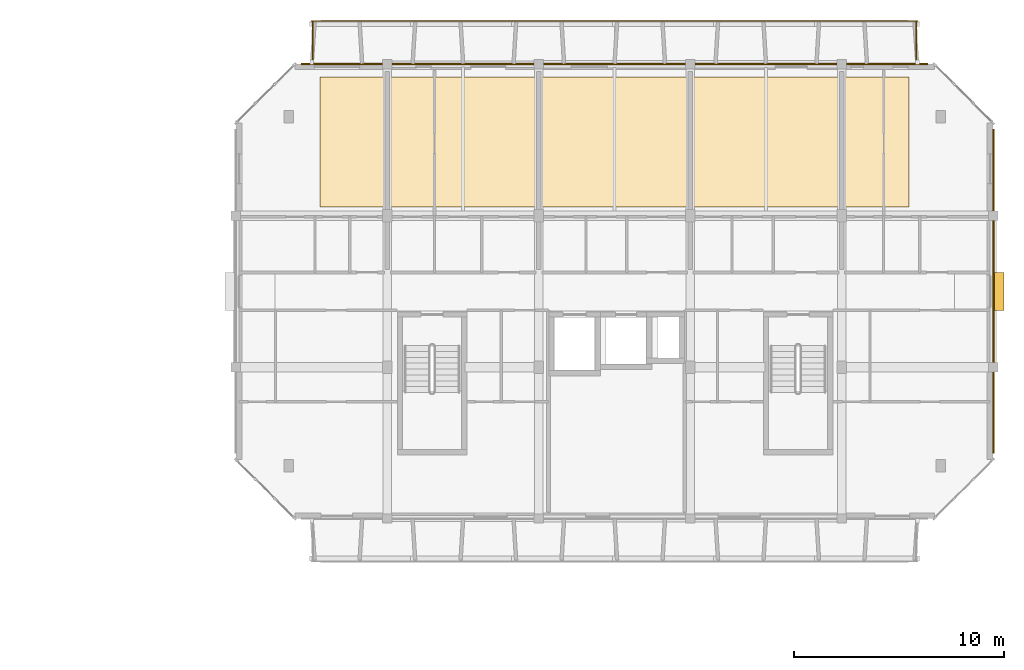
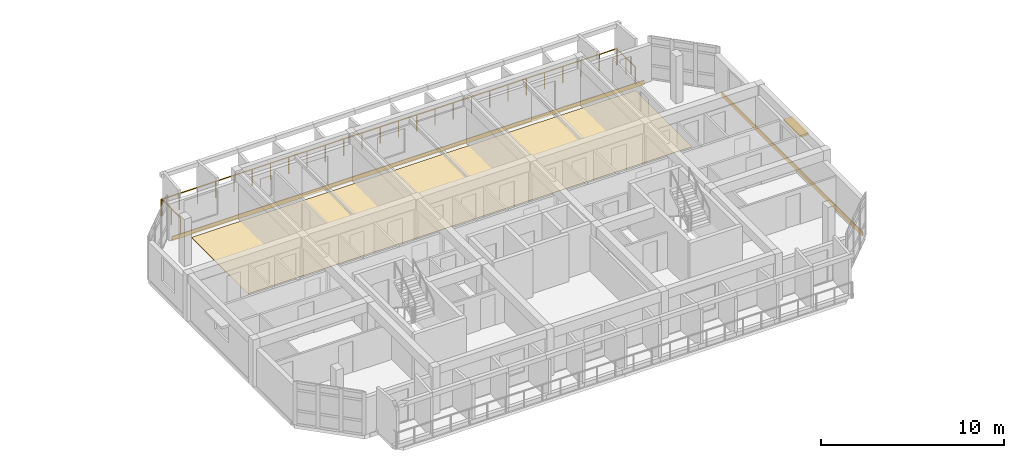
# One storey, part 31 of 31: 3 coverings, 3 railings, 1 shading device.
"""IFC4 building model written with IfcOpenShell, lengths in metres."""

from ifc_helpers import new_model, si_unit, direction, frame, origin, origin_2d, place, context, subcontext, project, spatial, polyline, rectangle, circle, outline, extrude, material, layer, layer_set, type_object, element, save


model = new_model("IFC4")

# Units and contexts
model_context = context("Model", 3, precision=1e-05, world=origin(), true_north=direction((0.0, 1.0)))
body_context = subcontext(model_context, "Body", "Model", "MODEL_VIEW")
ifc_project = project(units=[si_unit("LENGTHUNIT", "METRE"), si_unit("AREAUNIT", "SQUARE_METRE"), si_unit("VOLUMEUNIT", "CUBIC_METRE"), si_unit("PLANEANGLEUNIT", "RADIAN"), si_unit("MASSUNIT", "GRAM", prefix="KILO")], contexts=[model_context])

# Site, building, storey
site_placement = place(None, origin())
site = spatial("IfcSite", under=ifc_project, at=site_placement, CompositionType="ELEMENT")
building_placement = place(site_placement, origin())
building = spatial("IfcBuilding", under=site, at=building_placement, Name="Ochrevale Crest", CompositionType="ELEMENT")
storey_placement = place(building_placement, frame((0.0, 0.0, 37.050048828125)))
storey = spatial("IfcBuildingStorey", under=building, at=storey_placement, Name="L11", CompositionType="ELEMENT", Elevation=37.050048828125)

# Coverings
ifc_material_1 = material(Name="Glazed terracotta rainscreen tile", Category="masonry")
ifc_layer_1 = layer(ifc_material_1, 0.048095703125)
ifc_layer_set_1 = layer_set([ifc_layer_1], Name="Glazed terracotta rainscreen tile")
covering_type_1 = type_object("IfcCoveringType", Name="COV-CLAD-TER", PredefinedType="CLADDING", material=ifc_layer_set_1)
covering_1_placement = place(storey_placement, frame((165.614501953125, 82.800048828125, -0.26025390625), z_axis=(0.0, 0.0, 1.0), x_axis=(0.0, 1.0, 0.0)))
element("IfcCovering", 1, at=covering_1_placement, inside=storey, type_object=covering_type_1, Name="Block D L11 terracotta slab-edge spandrel cladding", PredefinedType="CLADDING", context=body_context, shape_type="SweptSolid", body=[
    extrude(rectangle(XDim=15.39990234375, YDim=0.06005859375, at=origin_2d()), origin(), (0.0, 0.0, 1.0), 0.280029296875),
])
covering_2_placement = place(storey_placement, frame((147.60009765625, 93.612548828125, -0.26025390625), z_axis=(0.0, 0.0, 1.0), x_axis=(-1.0, 0.0, 0.0)))
element("IfcCovering", 2, at=covering_2_placement, inside=storey, type_object=covering_type_1, Name="Block D L11 terracotta slab-edge spandrel cladding", PredefinedType="CLADDING", context=body_context, shape_type="SweptSolid", body=[
    extrude(rectangle(XDim=29.800048828125, YDim=0.06005859375, at=origin_2d()), origin(), (0.0, 0.0, 1.0), 0.280029296875),
])
ifc_material_2 = material(Name="Engineered spotted-gum hardwood flooring", Category="wood")
ifc_layer_2 = layer(ifc_material_2, 0.02001953125)
ifc_layer_set_2 = layer_set([ifc_layer_2], Name="Engineered spotted-gum hardwood flooring")
covering_type_2 = type_object("IfcCoveringType", Name="COV-FLR-TIM", PredefinedType="FLOORING", material=ifc_layer_set_2)
covering_3_placement = place(storey_placement, origin())
element("IfcCovering", 3, at=covering_3_placement, inside=storey, type_object=covering_type_2, Name="Block D L11 spotted-gum apartment flooring", PredefinedType="FLOORING", context=body_context, shape_type="SweptSolid", body=[
    extrude(outline(polyline([(133.60009765625, 86.800048828125), (161.60009765625, 86.800048828125), (161.60009765625, 93.0), (133.60009765625, 93.0), (133.60009765625, 86.800048828125)])), origin(), (0.0, 0.0, 1.0), 0.02001953125),
])

# Railings
ifc_material_3 = material(Name="Galvanised steel", Category="steel")
railing_type = type_object("IfcRailingType", Name="RL-BAL-1100", PredefinedType="BALUSTRADE", material=ifc_material_3)
railing_placement = place(storey_placement, frame((133.199951171875, 95.639892578125, 0.0)))
element("IfcRailing", 4, at=railing_placement, inside=storey, type_object=railing_type, Name="Block D L11 N balcony front balustrade", PredefinedType="BALUSTRADE", context=body_context, shape_type="SweptSolid", body=[
    extrude(circle(Radius=0.02392578125, at=origin_2d()), frame((0.0, 0.0, 1.0859375), z_axis=(1.0, 0.0, 0.0), x_axis=(0.0, 1.0, 0.0)), (0.0, 0.0, 1.0), 28.800048828125),
    extrude(circle(Radius=0.02099609375, at=origin_2d()), origin(), (0.0, 0.0, 1.0), 1.06201171875),
    extrude(circle(Radius=0.02099609375, at=origin_2d()), frame((1.152099609375, 0.0, 0.0)), (0.0, 0.0, 1.0), 1.06201171875),
    extrude(circle(Radius=0.02099609375, at=origin_2d()), frame((2.303955078125, 0.0, 0.0)), (0.0, 0.0, 1.0), 1.06201171875),
    extrude(circle(Radius=0.02099609375, at=origin_2d()), frame((3.4560546875, 0.0, 0.0)), (0.0, 0.0, 1.0), 1.06201171875),
    extrude(circle(Radius=0.02099609375, at=origin_2d()), frame((4.60791015625, 0.0, 0.0)), (0.0, 0.0, 1.0), 1.06201171875),
    extrude(circle(Radius=0.02099609375, at=origin_2d()), frame((5.760009765625, 0.0, 0.0)), (0.0, 0.0, 1.0), 1.06201171875),
    extrude(circle(Radius=0.02099609375, at=origin_2d()), frame((6.912109375, 0.0, 0.0)), (0.0, 0.0, 1.0), 1.06201171875),
    extrude(circle(Radius=0.02099609375, at=origin_2d()), frame((8.06396484375, 0.0, 0.0)), (0.0, 0.0, 1.0), 1.06201171875),
    extrude(circle(Radius=0.02099609375, at=origin_2d()), frame((9.216064453125, 0.0, 0.0)), (0.0, 0.0, 1.0), 1.06201171875),
    extrude(circle(Radius=0.02099609375, at=origin_2d()), frame((10.367919921875, 0.0, 0.0)), (0.0, 0.0, 1.0), 1.06201171875),
    extrude(circle(Radius=0.02099609375, at=origin_2d()), frame((11.52001953125, 0.0, 0.0)), (0.0, 0.0, 1.0), 1.06201171875),
    extrude(circle(Radius=0.02099609375, at=origin_2d()), frame((12.672119140625, 0.0, 0.0)), (0.0, 0.0, 1.0), 1.06201171875),
    extrude(circle(Radius=0.02099609375, at=origin_2d()), frame((13.823974609375, 0.0, 0.0)), (0.0, 0.0, 1.0), 1.06201171875),
    extrude(circle(Radius=0.02099609375, at=origin_2d()), frame((14.97607421875, 0.0, 0.0)), (0.0, 0.0, 1.0), 1.06201171875),
    extrude(circle(Radius=0.02099609375, at=origin_2d()), frame((16.1279296875, 0.0, 0.0)), (0.0, 0.0, 1.0), 1.06201171875),
    extrude(circle(Radius=0.02099609375, at=origin_2d()), frame((17.280029296875, 0.0, 0.0)), (0.0, 0.0, 1.0), 1.06201171875),
    extrude(circle(Radius=0.02099609375, at=origin_2d()), frame((18.43212890625, 0.0, 0.0)), (0.0, 0.0, 1.0), 1.06201171875),
    extrude(circle(Radius=0.02099609375, at=origin_2d()), frame((19.583984375, 0.0, 0.0)), (0.0, 0.0, 1.0), 1.06201171875),
    extrude(circle(Radius=0.02099609375, at=origin_2d()), frame((20.736083984375, 0.0, 0.0)), (0.0, 0.0, 1.0), 1.06201171875),
    extrude(circle(Radius=0.02099609375, at=origin_2d()), frame((21.887939453125, 0.0, 0.0)), (0.0, 0.0, 1.0), 1.06201171875),
    extrude(circle(Radius=0.02099609375, at=origin_2d()), frame((23.0400390625, 0.0, 0.0)), (0.0, 0.0, 1.0), 1.06201171875),
    extrude(circle(Radius=0.02099609375, at=origin_2d()), frame((24.192138671875, 0.0, 0.0)), (0.0, 0.0, 1.0), 1.06201171875),
    extrude(circle(Radius=0.02099609375, at=origin_2d()), frame((25.343994140625, 0.0, 0.0)), (0.0, 0.0, 1.0), 1.06201171875),
    extrude(circle(Radius=0.02099609375, at=origin_2d()), frame((26.49609375, 0.0, 0.0)), (0.0, 0.0, 1.0), 1.06201171875),
    extrude(circle(Radius=0.02099609375, at=origin_2d()), frame((27.64794921875, 0.0, 0.0)), (0.0, 0.0, 1.0), 1.06201171875),
    extrude(circle(Radius=0.02099609375, at=origin_2d()), frame((28.800048828125, 0.0, 0.0)), (0.0, 0.0, 1.0), 1.06201171875),
])
for number, where, name in (
    (5, (133.260009765625, 93.60009765625, 0.0), "Block D L11 N-W balcony side guard"),
    (6, (161.93994140625, 93.60009765625, 0.0), "Block D L11 N-E balcony side guard"),
):
    element("IfcRailing", number, at=place(storey_placement, frame(where)), inside=storey, type_object=railing_type, Name=name, PredefinedType="BALUSTRADE", context=body_context, shape_type="SweptSolid", body=[
        extrude(circle(Radius=0.02392578125, at=origin_2d()), frame((0.0, 0.0, 1.0859375), z_axis=(0.0, 1.0, 0.0), x_axis=(-1.0, 0.0, 0.0)), (0.0, 0.0, 1.0), 2.039794921875),
        extrude(circle(Radius=0.02099609375, at=origin_2d()), origin(), (0.0, 0.0, 1.0), 1.06201171875),
        extrude(circle(Radius=0.02099609375, at=origin_2d()), frame((0.0, 1.02001953125, 0.0)), (0.0, 0.0, 1.0), 1.06201171875),
        extrude(circle(Radius=0.02099609375, at=origin_2d()), frame((0.0, 2.039794921875, 0.0)), (0.0, 0.0, 1.0), 1.06201171875),
    ])

# Shading device
ifc_material_4 = material(Name="Anodised aluminium 6063-T5", Category="aluminium")
shading_device_type = type_object("IfcShadingDeviceType", Name="SHD-SUNSHADE-OC", PredefinedType="USERDEFINED", material=ifc_material_4)
shading_device_placement = place(storey_placement, frame((165.840087890625, 82.800048828125, 2.2099609375), z_axis=(0.0, 0.0, 1.0), x_axis=(1.0, 0.0, 0.0)))
element("IfcShadingDevice", 7, at=shading_device_placement, inside=storey, type_object=shading_device_type, Name="Block D L11 gable window sunshade E", ObjectType="HORIZONTAL SUNSHADE", PredefinedType="USERDEFINED", context=body_context, shape_type="SweptSolid", body=[
    extrude(rectangle(XDim=0.550048828125, YDim=1.800048828125, at=origin_2d()), origin(), (0.0, 0.0, 1.0), 0.139892578125),
])

save(model, "model.ifc")
